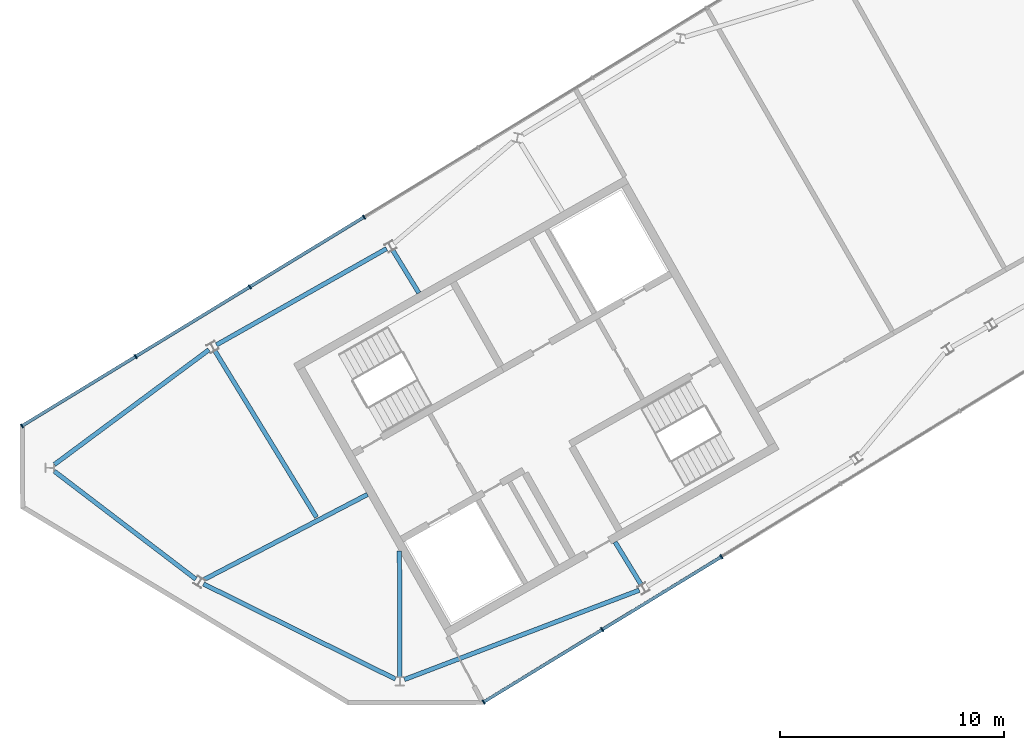
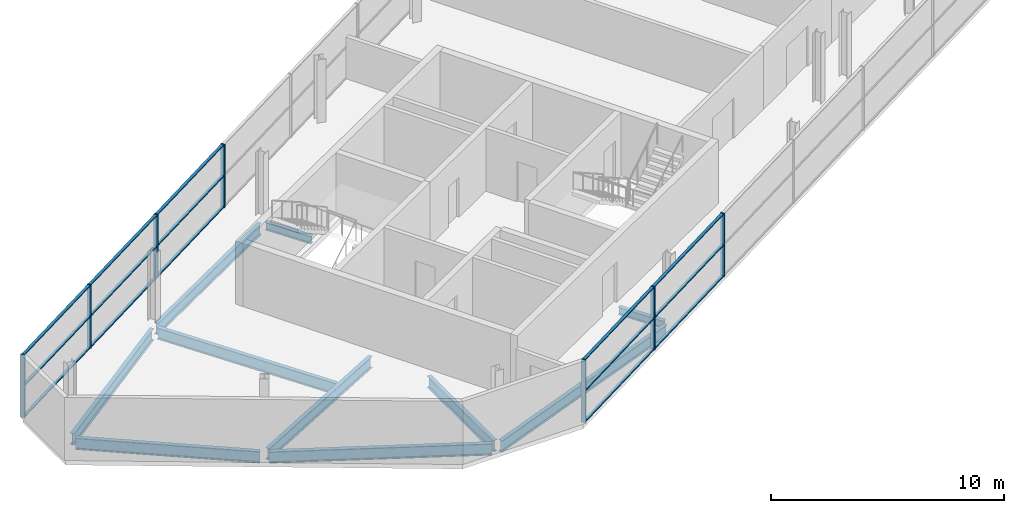
# One storey, part 3 of 8: 22 members, 10 beams, 2 elements without a shape of their own.
"""IFC4 building model written with IfcOpenShell, lengths in metres."""

import ifcopenshell
import ifcopenshell.guid

model = None  # the IFC model being written
_history = None  # IfcOwnerHistory: only IFC2X3 demands one
_inside = {}  # id of a spatial element -> (the spatial element, [elements in it])
_under = {}  # id of a project, library or spatial element -> (it, [spatial elements below it])
_declared = {}  # id of a project -> (the project, [libraries it declares])
_typed = {}  # id of a type object -> (the type object, [elements of that type])
_made_of = {}  # id of a material, layer set ... -> (it, [elements and type objects made of it])


def new_model(schema):
    """Start an empty IFC model of exactly this schema.

    Asked for "IFC4X3", IfcOpenShell would pick the latest addendum, in which some entities
    have other attributes; the version numbers below select the first issue.
    IFC2X3 requires an IfcOwnerHistory on every rooted entity: one is made here for all.
    """
    global model, _history
    if schema == "IFC4X3":
        model = ifcopenshell.file(schema_version=(4, 3, 0, 0))
    else:
        model = ifcopenshell.file(schema=schema)
    _inside.clear()
    _under.clear()
    _declared.clear()
    _typed.clear()
    _made_of.clear()
    _history = None
    if model.schema == "IFC2X3":
        org = make("IfcOrganization", Name="unknown")
        user = make(
            "IfcPersonAndOrganization",
            ThePerson=make("IfcPerson", FamilyName="unknown"),
            TheOrganization=org,
        )
        app = make(
            "IfcApplication",
            ApplicationDeveloper=org,
            Version="unknown",
            ApplicationFullName="unknown",
            ApplicationIdentifier="unknown",
        )
        _history = make(
            "IfcOwnerHistory",
            OwningUser=user,
            OwningApplication=app,
            ChangeAction="ADDED",
            CreationDate=0,
        )
    return model


def make(cls, **values):
    """One entity of the class cls with the attributes given. An attribute that is None is left unset."""
    return model.create_entity(
        cls, **{name: value for name, value in values.items() if value is not None}
    )


def rooted(cls, **values):
    """An entity with a GlobalId (a new one), such as an element, a storey or a relation."""
    return make(cls, GlobalId=ifcopenshell.guid.new(), OwnerHistory=_history, **values)


def si_unit(unit_type, name, prefix=None):
    """IfcSIUnit, for example si_unit("LENGTHUNIT", "METRE", prefix="MILLI")."""
    return make("IfcSIUnit", UnitType=unit_type, Prefix=prefix, Name=name)


def assignment(units):
    """IfcUnitAssignment: the units of a project."""
    return None if units is None else make("IfcUnitAssignment", Units=units)


def point(xyz):
    """IfcCartesianPoint."""
    return None if xyz is None else make("IfcCartesianPoint", Coordinates=xyz)


def direction(xyz):
    """IfcDirection."""
    return None if xyz is None else make("IfcDirection", DirectionRatios=xyz)


def frame(location, z_axis=None, x_axis=None):
    """IfcAxis2Placement3D, a coordinate frame: its origin and axes. An axis left out is left unset."""
    return make(
        "IfcAxis2Placement3D",
        Location=point(location),
        Axis=direction(z_axis),
        RefDirection=direction(x_axis),
    )


def frame_2d(location, x_axis=None):
    """IfcAxis2Placement2D, a coordinate frame in the plane: its origin and x axis."""
    return make(
        "IfcAxis2Placement2D", Location=point(location), RefDirection=direction(x_axis)
    )


def origin():
    """The frame at (0, 0, 0) with its axes left unset."""
    return frame((0.0, 0.0, 0.0))


def origin_2d():
    """The frame at (0, 0) in the plane with its x axis left unset."""
    return frame_2d((0.0, 0.0))


def place(relative_to, where):
    """IfcLocalPlacement: puts the frame where relative to a parent placement (None: the world)."""
    return make(
        "IfcLocalPlacement", PlacementRelTo=relative_to, RelativePlacement=where
    )


def context(
    kind, dimensions, precision=None, world=None, true_north=None, identifier=None
):
    """IfcGeometricRepresentationContext, for example the 3D "Model" context."""
    return make(
        "IfcGeometricRepresentationContext",
        ContextIdentifier=identifier,
        ContextType=kind,
        CoordinateSpaceDimension=dimensions,
        Precision=precision,
        WorldCoordinateSystem=world,
        TrueNorth=true_north,
    )


def subcontext(parent, identifier, kind, view, scale=None):
    """IfcGeometricRepresentationSubContext, for example "Body" below "Model"."""
    return make(
        "IfcGeometricRepresentationSubContext",
        ContextIdentifier=identifier,
        ContextType=kind,
        ParentContext=parent,
        TargetScale=scale,
        TargetView=view,
    )


def project(units=None, contexts=None):
    """IfcProject with its units and contexts."""
    return rooted(
        "IfcProject",
        Name="project",
        RepresentationContexts=contexts,
        UnitsInContext=assignment(units),
    )


def spatial(cls, under=None, at=None, **own):
    """A site, building, storey or space (cls), placed at a placement, below another one or the project."""
    s = rooted(cls, ObjectPlacement=at, **own)
    if under is not None:
        _under.setdefault(under.id(), (under, []))[1].append(s)
    return s


def profile(cls, at=None, kind="AREA", **sizes):
    """A parametric profile (cls). Its sizes go by their IFC names, for example OverallWidth=200.0."""
    return make(cls, ProfileType=kind, Position=at, **sizes)


def rectangle(**sizes):
    """IfcRectangleProfileDef."""
    return profile("IfcRectangleProfileDef", **sizes)


def i_section(**sizes):
    """IfcIShapeProfileDef."""
    return profile("IfcIShapeProfileDef", **sizes)


def extrude(swept, where, along, depth):
    """IfcExtrudedAreaSolid: the profile swept, set in the frame where, extruded along a direction by depth."""
    return make(
        "IfcExtrudedAreaSolid",
        SweptArea=swept,
        Position=where,
        ExtrudedDirection=direction(along),
        Depth=depth,
    )


def shape(context_of_items, identifier, shape_type, items):
    """IfcShapeRepresentation: the items that make up one representation, for example the "Body"."""
    return make(
        "IfcShapeRepresentation",
        ContextOfItems=context_of_items,
        RepresentationIdentifier=identifier,
        RepresentationType=shape_type,
        Items=items,
    )


def material(Name=None, Category=None):
    """IfcMaterial."""
    return make("IfcMaterial", Name=Name, Category=Category)


def material_profile(
    of_material, cross_section, Name=None, Category=None, Priority=None
):
    """IfcMaterialProfile: a cross section and its material."""
    return make(
        "IfcMaterialProfile",
        Name=Name,
        Material=of_material,
        Profile=cross_section,
        Priority=Priority,
        Category=Category,
    )


def profile_set(profiles, Name=None, composite=None):
    """IfcMaterialProfileSet."""
    return make(
        "IfcMaterialProfileSet",
        Name=Name,
        MaterialProfiles=profiles,
        CompositeProfile=composite,
    )


def made_of(thing, what):
    """Note that an element or type object is made of a material, layer set ...; save() writes the relation."""
    if what is not None:
        _made_of.setdefault(what.id(), (what, []))[1].append(thing)
    return thing


def type_object(cls, material=None, **own):
    """A type object (cls), such as IfcWallType, which elements share."""
    return made_of(rooted(cls, **own), material)


def element(
    cls,
    number,
    at=None,
    inside=None,
    cuts=None,
    type_object=None,
    material=None,
    context=None,
    identifier="Body",
    shape_type=None,
    held_by="IfcProductDefinitionShape",
    body=None,
    shapes=None,
    **own,
):
    """One element of the class cls, such as IfcWall. Its Tag is "e" and its number.

    at: its placement. inside: the storey or other place that contains it. cuts: it is an
    opening in that element (IfcRelVoidsElement). A single representation is given by context,
    identifier, shape_type and body (its items); several are given by shapes. held_by: the class
    of the entity that holds the representations. save() writes the other relations.
    """
    e = rooted(cls, Tag="e%d" % number, ObjectPlacement=at, **own)
    if body is not None:
        shapes = [shape(context, identifier, shape_type, body)]
    if shapes is not None:
        e.Representation = make(held_by, Representations=shapes)
    if inside is not None:
        _inside.setdefault(inside.id(), (inside, []))[1].append(e)
    if cuts is not None:
        rooted(
            "IfcRelVoidsElement", RelatingBuildingElement=cuts, RelatedOpeningElement=e
        )
    if type_object is not None:
        _typed.setdefault(type_object.id(), (type_object, []))[1].append(e)
    return made_of(e, material)


def aggregate(whole, parts):
    """IfcRelAggregates: a whole, such as a stair, and the parts it consists of."""
    return rooted("IfcRelAggregates", RelatingObject=whole, RelatedObjects=parts)


def save(model, path):
    """Write the relations noted so far, then the file.

    IfcRelAggregates (storeys below a building ...), IfcRelContainedInSpatialStructure (elements
    in a storey), IfcRelDefinesByType, IfcRelAssociatesMaterial and IfcRelDeclares: one each for
    every whole, place, type object, material and project.
    """
    for whole, parts in _under.values():
        aggregate(whole, parts)
    for where, things in _inside.values():
        rooted(
            "IfcRelContainedInSpatialStructure",
            RelatedElements=things,
            RelatingStructure=where,
        )
    for kind, things in _typed.values():
        rooted("IfcRelDefinesByType", RelatedObjects=things, RelatingType=kind)
    for what, things in _made_of.values():
        rooted("IfcRelAssociatesMaterial", RelatedObjects=things, RelatingMaterial=what)
    for by, libraries in _declared.values():
        rooted("IfcRelDeclares", RelatingContext=by, RelatedDefinitions=libraries)
    model.write(path)


model = new_model("IFC4")

# Units and contexts
model_context = context("Model", 3, precision=1e-05, world=origin(), true_north=direction((0.0, 1.0)))
body_context = subcontext(model_context, "Body", "Model", "MODEL_VIEW")
ifc_project = project(units=[si_unit("LENGTHUNIT", "METRE"), si_unit("AREAUNIT", "SQUARE_METRE"), si_unit("VOLUMEUNIT", "CUBIC_METRE"), si_unit("PLANEANGLEUNIT", "RADIAN"), si_unit("MASSUNIT", "GRAM", prefix="KILO")], contexts=[model_context])

# Site, building, storey
site_placement = place(None, origin())
site = spatial("IfcSite", under=ifc_project, at=site_placement, CompositionType="ELEMENT")
building_placement = place(site_placement, origin())
building = spatial("IfcBuilding", under=site, at=building_placement, Name="Binnacle Exchange Tower", CompositionType="ELEMENT")
storey_placement = place(building_placement, frame((0.0, 0.0, 350.5)))
storey = spatial("IfcBuildingStorey", under=building, at=storey_placement, Name="L80", CompositionType="ELEMENT", Elevation=350.5)

# Curtain wall, members
ifc_material_1 = material(Name="Bronze anodised aluminium frame", Category="aluminium")
curtain_wall_type = type_object("IfcCurtainWallType", Name="External wall - curtain wall crown tiers", PredefinedType="NOTDEFINED", material=ifc_material_1)
curtain_wall_1_placement = place(storey_placement, origin())
curtain_wall_1 = element("IfcCurtainWall", 1, at=curtain_wall_1_placement, inside=storey, type_object=curtain_wall_type, Name="External wall curtain wall CW5-C103 L80", PredefinedType="NOTDEFINED")
ifc_material_profile_1 = material_profile(ifc_material_1, rectangle(XDim=0.199951171875, YDim=0.06005859375, at=origin_2d()), Name="AL 60x200")
ifc_profile_set_1 = profile_set([ifc_material_profile_1], Name="Bronze anodised aluminium frame")
member_type_1 = type_object("IfcMemberType", Name="CW5 MULLION 60x200", PredefinedType="MULLION", material=ifc_profile_set_1)
member_1_placement = place(storey_placement, frame((-43.45947265625, 48.23095703125, 0.0), z_axis=(0.0, 0.0, 1.0), x_axis=(0.521156922554, -0.853460873194, 0.0)))
member_1 = element("IfcMember", 2, at=member_1_placement, type_object=member_type_1, Name="CW5-C103 mullion 8", PredefinedType="MULLION", context=body_context, shape_type="SweptSolid", body=[
    extrude(rectangle(XDim=0.199951171875, YDim=0.06005859375, at=origin_2d()), origin(), (0.0, 0.0, 1.0), 3.300048828125),
])
member_2_placement = place(storey_placement, frame((-48.56103515625, 45.11572265625, 0.0), z_axis=(0.0, 0.0, 1.0), x_axis=(0.521156922554, -0.853460873194, 0.0)))
member_2 = element("IfcMember", 3, at=member_2_placement, type_object=member_type_1, Name="CW5-C103 mullion 9", PredefinedType="MULLION", context=body_context, shape_type="SweptSolid", body=[
    extrude(rectangle(XDim=0.199951171875, YDim=0.06005859375, at=origin_2d()), origin(), (0.0, 0.0, 1.0), 3.300048828125),
])
member_3_placement = place(storey_placement, frame((-53.66259765625, 42.00048828125, 0.0), z_axis=(0.0, 0.0, 1.0), x_axis=(0.521156922554, -0.853460873194, 0.0)))
member_3 = element("IfcMember", 4, at=member_3_placement, type_object=member_type_1, Name="CW5-C103 mullion 10", PredefinedType="MULLION", context=body_context, shape_type="SweptSolid", body=[
    extrude(rectangle(XDim=0.199951171875, YDim=0.06005859375, at=origin_2d()), origin(), (0.0, 0.0, 1.0), 3.300048828125),
])
member_4_placement = place(storey_placement, frame((-58.738525390625, 38.90087890625, 0.0), z_axis=(0.0, 0.0, 1.0), x_axis=(0.521156922554, -0.853460873194, 0.0)))
member_4 = element("IfcMember", 5, at=member_4_placement, type_object=member_type_1, Name="CW5-C103 mullion 11", PredefinedType="MULLION", context=body_context, shape_type="SweptSolid", body=[
    extrude(rectangle(XDim=0.199951171875, YDim=0.06005859375, at=origin_2d()), origin(), (0.0, 0.0, 1.0), 3.300048828125),
])

curtain_wall_2_placement = place(storey_placement, origin())
curtain_wall_2 = element("IfcCurtainWall", 6, at=curtain_wall_2_placement, inside=storey, type_object=curtain_wall_type, Name="External wall curtain wall CW5-C107 L80", PredefinedType="NOTDEFINED")
member_5_placement = place(storey_placement, frame((-38.119873046875, 26.568603515625, 0.0), z_axis=(0.0, 0.0, 1.0), x_axis=(-0.521156922554, 0.853460873194, 0.0)))
member_5 = element("IfcMember", 7, at=member_5_placement, type_object=member_type_1, Name="CW5-C107 mullion 1", PredefinedType="MULLION", context=body_context, shape_type="SweptSolid", body=[
    extrude(rectangle(XDim=0.199951171875, YDim=0.06005859375, at=origin_2d()), origin(), (0.0, 0.0, 1.0), 3.300048828125),
])
member_6_placement = place(storey_placement, frame((-32.820556640625, 29.804443359375, 0.0), z_axis=(0.0, 0.0, 1.0), x_axis=(-0.521156922554, 0.853460873194, 0.0)))
member_6 = element("IfcMember", 8, at=member_6_placement, type_object=member_type_1, Name="CW5-C107 mullion 2", PredefinedType="MULLION", context=body_context, shape_type="SweptSolid", body=[
    extrude(rectangle(XDim=0.199951171875, YDim=0.06005859375, at=origin_2d()), origin(), (0.0, 0.0, 1.0), 3.300048828125),
])
member_7_placement = place(storey_placement, frame((-27.49560546875, 33.05615234375, 0.0), z_axis=(0.0, 0.0, 1.0), x_axis=(-0.521156922554, 0.853460873194, 0.0)))
member_7 = element("IfcMember", 9, at=member_7_placement, type_object=member_type_1, Name="CW5-C107 mullion 3", PredefinedType="MULLION", context=body_context, shape_type="SweptSolid", body=[
    extrude(rectangle(XDim=0.199951171875, YDim=0.06005859375, at=origin_2d()), origin(), (0.0, 0.0, 1.0), 3.300048828125),
])

# Member
ifc_material_profile_2 = material_profile(ifc_material_1, rectangle(XDim=0.139892578125, YDim=0.050048828125, at=origin_2d()), Name="AL 140x50")
ifc_profile_set_2 = profile_set([ifc_material_profile_2], Name="Bronze anodised aluminium frame")
member_type_2 = type_object("IfcMemberType", Name="CW5 TRANSOM 50x140", PredefinedType="USERDEFINED", material=ifc_profile_set_2)
member_8_placement = place(storey_placement, frame((-43.485107421875, 48.21533203125, 0.02490234375), z_axis=(-0.853455161213, -0.521166276537, 0.0), x_axis=(0.521166276537, -0.853455161213, 0.0)))
member_8 = element("IfcMember", 10, at=member_8_placement, type_object=member_type_2, Name="CW5-C103 transom 8.1", ObjectType="TRANSOM", PredefinedType="USERDEFINED", context=body_context, shape_type="SweptSolid", body=[
    extrude(rectangle(XDim=0.139892578125, YDim=0.050048828125, at=origin_2d()), origin(), (0.0, 0.0, 1.0), 5.91748046875),
])

member_9_placement = place(storey_placement, frame((-43.485107421875, 48.21533203125, 1.64990234375), z_axis=(-0.853455161213, -0.521166276537, 0.0), x_axis=(0.521166276537, -0.853455161213, 0.0)))
member_9 = element("IfcMember", 11, at=member_9_placement, type_object=member_type_2, Name="CW5-C103 transom 8.2", ObjectType="TRANSOM", PredefinedType="USERDEFINED", context=body_context, shape_type="SweptSolid", body=[
    extrude(rectangle(XDim=0.139892578125, YDim=0.050048828125, at=origin_2d()), origin(), (0.0, 0.0, 1.0), 5.91748046875),
])

member_10_placement = place(storey_placement, frame((-43.485107421875, 48.21533203125, 3.27490234375), z_axis=(-0.853455161213, -0.521166276537, 0.0), x_axis=(0.521166276537, -0.853455161213, 0.0)))
member_10 = element("IfcMember", 12, at=member_10_placement, type_object=member_type_2, Name="CW5-C103 transom 8.3", ObjectType="TRANSOM", PredefinedType="USERDEFINED", context=body_context, shape_type="SweptSolid", body=[
    extrude(rectangle(XDim=0.139892578125, YDim=0.050048828125, at=origin_2d()), origin(), (0.0, 0.0, 1.0), 5.91748046875),
])

member_11_placement = place(storey_placement, frame((-48.586669921875, 45.10009765625, 0.02490234375), z_axis=(-0.853455161213, -0.521166276537, 0.0), x_axis=(0.521166276537, -0.853455161213, 0.0)))
member_11 = element("IfcMember", 13, at=member_11_placement, type_object=member_type_2, Name="CW5-C103 transom 9.1", ObjectType="TRANSOM", PredefinedType="USERDEFINED", context=body_context, shape_type="SweptSolid", body=[
    extrude(rectangle(XDim=0.139892578125, YDim=0.050048828125, at=origin_2d()), origin(), (0.0, 0.0, 1.0), 5.91748046875),
])

member_12_placement = place(storey_placement, frame((-48.586669921875, 45.10009765625, 1.64990234375), z_axis=(-0.853455161213, -0.521166276537, 0.0), x_axis=(0.521166276537, -0.853455161213, 0.0)))
member_12 = element("IfcMember", 14, at=member_12_placement, type_object=member_type_2, Name="CW5-C103 transom 9.2", ObjectType="TRANSOM", PredefinedType="USERDEFINED", context=body_context, shape_type="SweptSolid", body=[
    extrude(rectangle(XDim=0.139892578125, YDim=0.050048828125, at=origin_2d()), origin(), (0.0, 0.0, 1.0), 5.91748046875),
])

member_13_placement = place(storey_placement, frame((-48.586669921875, 45.10009765625, 3.27490234375), z_axis=(-0.853455161213, -0.521166276537, 0.0), x_axis=(0.521166276537, -0.853455161213, 0.0)))
member_13 = element("IfcMember", 15, at=member_13_placement, type_object=member_type_2, Name="CW5-C103 transom 9.3", ObjectType="TRANSOM", PredefinedType="USERDEFINED", context=body_context, shape_type="SweptSolid", body=[
    extrude(rectangle(XDim=0.139892578125, YDim=0.050048828125, at=origin_2d()), origin(), (0.0, 0.0, 1.0), 5.91748046875),
])

member_14_placement = place(storey_placement, frame((-53.688232421875, 41.98486328125, 0.02490234375), z_axis=(-0.853452971317, -0.521169862665, 0.0), x_axis=(0.521169862665, -0.853452971317, 0.0)))
member_14 = element("IfcMember", 16, at=member_14_placement, type_object=member_type_2, Name="CW5-C103 transom 10.1", ObjectType="TRANSOM", PredefinedType="USERDEFINED", context=body_context, shape_type="SweptSolid", body=[
    extrude(rectangle(XDim=0.139892578125, YDim=0.050048828125, at=origin_2d()), origin(), (0.0, 0.0, 1.0), 5.887451171875),
])

member_15_placement = place(storey_placement, frame((-53.688232421875, 41.98486328125, 1.64990234375), z_axis=(-0.853452971317, -0.521169862665, 0.0), x_axis=(0.521169862665, -0.853452971317, 0.0)))
member_15 = element("IfcMember", 17, at=member_15_placement, type_object=member_type_2, Name="CW5-C103 transom 10.2", ObjectType="TRANSOM", PredefinedType="USERDEFINED", context=body_context, shape_type="SweptSolid", body=[
    extrude(rectangle(XDim=0.139892578125, YDim=0.050048828125, at=origin_2d()), origin(), (0.0, 0.0, 1.0), 5.887451171875),
])

member_16_placement = place(storey_placement, frame((-53.688232421875, 41.98486328125, 3.27490234375), z_axis=(-0.853452971317, -0.521169862665, 0.0), x_axis=(0.521169862665, -0.853452971317, 0.0)))
member_16 = element("IfcMember", 18, at=member_16_placement, type_object=member_type_2, Name="CW5-C103 transom 10.3", ObjectType="TRANSOM", PredefinedType="USERDEFINED", context=body_context, shape_type="SweptSolid", body=[
    extrude(rectangle(XDim=0.139892578125, YDim=0.050048828125, at=origin_2d()), origin(), (0.0, 0.0, 1.0), 5.887451171875),
])

aggregate(curtain_wall_1, [member_1, member_2, member_3, member_4, member_8, member_9, member_10, member_11, member_12, member_13, member_14, member_15, member_16])

member_17_placement = place(storey_placement, frame((-38.09423828125, 26.584228515625, 0.02490234375), z_axis=(0.853466289952, 0.52114805182, 0.0), x_axis=(-0.52114805182, 0.853466289952, 0.0)))
member_17 = element("IfcMember", 19, at=member_17_placement, type_object=member_type_2, Name="CW5-C107 transom 1.1", ObjectType="TRANSOM", PredefinedType="USERDEFINED", context=body_context, shape_type="SweptSolid", body=[
    extrude(rectangle(XDim=0.139892578125, YDim=0.050048828125, at=origin_2d()), origin(), (0.0, 0.0, 1.0), 6.149169921875),
])

member_18_placement = place(storey_placement, frame((-38.09423828125, 26.584228515625, 1.64990234375), z_axis=(0.853466289952, 0.52114805182, 0.0), x_axis=(-0.52114805182, 0.853466289952, 0.0)))
member_18 = element("IfcMember", 20, at=member_18_placement, type_object=member_type_2, Name="CW5-C107 transom 1.2", ObjectType="TRANSOM", PredefinedType="USERDEFINED", context=body_context, shape_type="SweptSolid", body=[
    extrude(rectangle(XDim=0.139892578125, YDim=0.050048828125, at=origin_2d()), origin(), (0.0, 0.0, 1.0), 6.149169921875),
])

member_19_placement = place(storey_placement, frame((-38.09423828125, 26.584228515625, 3.27490234375), z_axis=(0.853466289952, 0.52114805182, 0.0), x_axis=(-0.52114805182, 0.853466289952, 0.0)))
member_19 = element("IfcMember", 21, at=member_19_placement, type_object=member_type_2, Name="CW5-C107 transom 1.3", ObjectType="TRANSOM", PredefinedType="USERDEFINED", context=body_context, shape_type="SweptSolid", body=[
    extrude(rectangle(XDim=0.139892578125, YDim=0.050048828125, at=origin_2d()), origin(), (0.0, 0.0, 1.0), 6.149169921875),
])

member_20_placement = place(storey_placement, frame((-32.794921875, 29.820068359375, 0.02490234375), z_axis=(0.853450748659, 0.52117350241, 0.0), x_axis=(-0.52117350241, 0.853450748659, 0.0)))
member_20 = element("IfcMember", 22, at=member_20_placement, type_object=member_type_2, Name="CW5-C107 transom 2.1", ObjectType="TRANSOM", PredefinedType="USERDEFINED", context=body_context, shape_type="SweptSolid", body=[
    extrude(rectangle(XDim=0.139892578125, YDim=0.050048828125, at=origin_2d()), origin(), (0.0, 0.0, 1.0), 6.17919921875),
])

member_21_placement = place(storey_placement, frame((-32.794921875, 29.820068359375, 1.64990234375), z_axis=(0.853450748659, 0.52117350241, 0.0), x_axis=(-0.52117350241, 0.853450748659, 0.0)))
member_21 = element("IfcMember", 23, at=member_21_placement, type_object=member_type_2, Name="CW5-C107 transom 2.2", ObjectType="TRANSOM", PredefinedType="USERDEFINED", context=body_context, shape_type="SweptSolid", body=[
    extrude(rectangle(XDim=0.139892578125, YDim=0.050048828125, at=origin_2d()), origin(), (0.0, 0.0, 1.0), 6.17919921875),
])

member_22_placement = place(storey_placement, frame((-32.794921875, 29.820068359375, 3.27490234375), z_axis=(0.853450748659, 0.52117350241, 0.0), x_axis=(-0.52117350241, 0.853450748659, 0.0)))
member_22 = element("IfcMember", 24, at=member_22_placement, type_object=member_type_2, Name="CW5-C107 transom 2.3", ObjectType="TRANSOM", PredefinedType="USERDEFINED", context=body_context, shape_type="SweptSolid", body=[
    extrude(rectangle(XDim=0.139892578125, YDim=0.050048828125, at=origin_2d()), origin(), (0.0, 0.0, 1.0), 6.17919921875),
])

aggregate(curtain_wall_2, [member_5, member_6, member_7, member_17, member_18, member_19, member_20, member_21, member_22])

# Beams
ifc_material_2 = material(Name="Steel S355 (SHN355)", Category="steel")
ifc_material_profile_3 = material_profile(ifc_material_2, i_section(OverallWidth=0.199951171875, OverallDepth=0.60009765625, WebThickness=0.010986328125, FlangeThickness=0.01708984375, FilletRadius=0.02197265625, at=origin_2d()), Name="H 600x200x11x17")
ifc_profile_set_3 = profile_set([ifc_material_profile_3], Name="Steel S355 (SHN355)")
beam_type_1 = type_object("IfcBeamType", Name="Edge girder H 600x200x11x17 Steel S355 (SHN355)", PredefinedType="SPANDREL", material=ifc_profile_set_3)
beam_1_placement = place(storey_placement, frame((-57.294921875, 36.876220703125, -0.60009765625), z_axis=(0.795084866739, -0.606498190173, 0.0), x_axis=(0.606498190173, 0.795084866739, 0.0)))
element("IfcBeam", 25, at=beam_1_placement, inside=storey, type_object=beam_type_1, Name="S:BM:edge:L80:006", PredefinedType="SPANDREL", context=body_context, shape_type="SweptSolid", body=[
    extrude(i_section(OverallWidth=0.199951171875, OverallDepth=0.60009765625, WebThickness=0.010986328125, FlangeThickness=0.01708984375, FilletRadius=0.02197265625, at=origin_2d()), origin(), (0.0, 0.0, 1.0), 7.95263671875),
])
beam_2_placement = place(storey_placement, frame((-50.632080078125, 31.841796875, -0.60009765625), z_axis=(0.8960639995, -0.443924890944, 0.0), x_axis=(0.443924890944, 0.8960639995, 0.0)))
element("IfcBeam", 26, at=beam_2_placement, inside=storey, type_object=beam_type_1, Name="S:BM:edge:L80:007", PredefinedType="SPANDREL", context=body_context, shape_type="SweptSolid", body=[
    extrude(i_section(OverallWidth=0.199951171875, OverallDepth=0.60009765625, WebThickness=0.010986328125, FlangeThickness=0.01708984375, FilletRadius=0.02197265625, at=origin_2d()), origin(), (0.0, 0.0, 1.0), 9.5703125),
])
beam_3_placement = place(storey_placement, frame((-50.387939453125, 42.302734375, -0.60009765625), z_axis=(-0.802897228566, -0.596117471947, 0.0), x_axis=(0.596117471947, -0.802897228566, 0.0)))
element("IfcBeam", 27, at=beam_3_placement, inside=storey, type_object=beam_type_1, Name="S:BM:edge:L80:008", PredefinedType="SPANDREL", context=body_context, shape_type="SweptSolid", body=[
    extrude(i_section(OverallWidth=0.199951171875, OverallDepth=0.60009765625, WebThickness=0.010986328125, FlangeThickness=0.01708984375, FilletRadius=0.02197265625, at=origin_2d()), origin(), (0.0, 0.0, 1.0), 8.59765625),
])
beam_4_placement = place(storey_placement, frame((-42.4541015625, 46.8203125, -0.60009765625), z_axis=(-0.870348679589, -0.492435961255, 0.0), x_axis=(0.492435961255, -0.870348679589, 0.0)))
element("IfcBeam", 28, at=beam_4_placement, inside=storey, type_object=beam_type_1, Name="S:BM:edge:L80:009", PredefinedType="SPANDREL", context=body_context, shape_type="SweptSolid", body=[
    extrude(i_section(OverallWidth=0.199951171875, OverallDepth=0.60009765625, WebThickness=0.010986328125, FlangeThickness=0.01708984375, FilletRadius=0.02197265625, at=origin_2d()), origin(), (0.0, 0.0, 1.0), 8.729736328125),
])
beam_5_placement = place(storey_placement, frame((-41.65673828125, 27.5712890625, -0.60009765625), z_axis=(0.934628228564, 0.355626312821, 0.0), x_axis=(-0.355626312821, 0.934628228564, 0.0)))
element("IfcBeam", 29, at=beam_5_placement, inside=storey, type_object=beam_type_1, Name="S:BM:edge:L80:010", PredefinedType="SPANDREL", context=body_context, shape_type="SweptSolid", body=[
    extrude(i_section(OverallWidth=0.199951171875, OverallDepth=0.60009765625, WebThickness=0.010986328125, FlangeThickness=0.01708984375, FilletRadius=0.02197265625, at=origin_2d()), origin(), (0.0, 0.0, 1.0), 11.225830078125),
])
ifc_material_profile_4 = material_profile(ifc_material_2, i_section(OverallWidth=0.199951171875, OverallDepth=0.39990234375, WebThickness=0.008056640625, FlangeThickness=0.012939453125, FilletRadius=0.01611328125, at=origin_2d()), Name="H 400x200x8x13")
ifc_profile_set_4 = profile_set([ifc_material_profile_4], Name="Steel S355 (SHN355)")
beam_type_2 = type_object("IfcBeamType", Name="Floor beam H 400x200x8x13 Steel S355 (SHN355)", PredefinedType="BEAM", material=ifc_profile_set_4)
beam_6_placement = place(storey_placement, frame((-42.17578125, 46.747802734375, -0.5), z_axis=(0.521273294213, -0.853389801169, 0.0), x_axis=(0.853389801169, 0.521273294213, 0.0)))
element("IfcBeam", 30, at=beam_6_placement, inside=storey, type_object=beam_type_2, Name="S:BM:cross:L80:023", PredefinedType="BEAM", context=body_context, shape_type="SweptSolid", body=[
    extrude(i_section(OverallWidth=0.199951171875, OverallDepth=0.39990234375, WebThickness=0.008056640625, FlangeThickness=0.012939453125, FilletRadius=0.01611328125, at=origin_2d()), origin(), (0.0, 0.0, 1.0), 2.2353515625),
])
beam_7_placement = place(storey_placement, frame((-31.079833984375, 31.80615234375, -0.5), z_axis=(-0.521145172742, 0.853468047983, 0.0), x_axis=(-0.853468047983, -0.521145172742, 0.0)))
element("IfcBeam", 31, at=beam_7_placement, inside=storey, type_object=beam_type_2, Name="S:BM:cross:L80:026", PredefinedType="BEAM", context=body_context, shape_type="SweptSolid", body=[
    extrude(i_section(OverallWidth=0.199951171875, OverallDepth=0.39990234375, WebThickness=0.008056640625, FlangeThickness=0.012939453125, FilletRadius=0.01611328125, at=origin_2d()), origin(), (0.0, 0.0, 1.0), 2.235595703125),
])
ifc_material_profile_5 = material_profile(ifc_material_2, i_section(OverallWidth=0.199951171875, OverallDepth=0.60009765625, WebThickness=0.010986328125, FlangeThickness=0.01708984375, FilletRadius=0.02197265625, at=origin_2d()), Name="H 600x200x11x17")
ifc_profile_set_5 = profile_set([ifc_material_profile_5], Name="Steel S355 (SHN355)")
beam_type_3 = type_object("IfcBeamType", Name="Floor beam H 600x200x11x17 Steel S355 (SHN355)", PredefinedType="BEAM", material=ifc_profile_set_5)
beam_8_placement = place(storey_placement, frame((-50.121826171875, 42.252197265625, -0.60009765625), z_axis=(0.521135792613, -0.853473775612, 0.0), x_axis=(0.853473775612, 0.521135792613, 0.0)))
element("IfcBeam", 32, at=beam_8_placement, inside=storey, type_object=beam_type_3, Name="S:BM:cross:L80:022", PredefinedType="BEAM", context=body_context, shape_type="SweptSolid", body=[
    extrude(i_section(OverallWidth=0.199951171875, OverallDepth=0.60009765625, WebThickness=0.010986328125, FlangeThickness=0.01708984375, FilletRadius=0.02197265625, at=origin_2d()), origin(), (0.0, 0.0, 1.0), 8.70654296875),
])
beam_9_placement = place(storey_placement, frame((-41.8583984375, 27.69482421875, -0.60009765625), z_axis=(-0.003563645342, 0.999993650196, 0.0), x_axis=(-0.999993650196, -0.003563645342, 0.0)))
element("IfcBeam", 33, at=beam_9_placement, inside=storey, type_object=beam_type_3, Name="S:BM:cross:L80:024", PredefinedType="BEAM", context=body_context, shape_type="SweptSolid", body=[
    extrude(i_section(OverallWidth=0.199951171875, OverallDepth=0.60009765625, WebThickness=0.010986328125, FlangeThickness=0.01708984375, FilletRadius=0.02197265625, at=origin_2d()), origin(), (0.0, 0.0, 1.0), 5.61767578125),
])
ifc_material_profile_6 = material_profile(ifc_material_2, i_section(OverallWidth=0.199951171875, OverallDepth=0.60009765625, WebThickness=0.010986328125, FlangeThickness=0.01708984375, FilletRadius=0.02197265625, at=origin_2d()), Name="H 600x200x11x17")
ifc_profile_set_6 = profile_set([ifc_material_profile_6], Name="Steel S355 (SHN355)")
beam_type_4 = type_object("IfcBeamType", Name="Spine girder H 600x200x11x17 Steel S355 (SHN355)", PredefinedType="BEAM", material=ifc_profile_set_6)
beam_10_placement = place(storey_placement, frame((-50.60400390625, 32.039306640625, -0.60009765625), z_axis=(0.886982470593, 0.461803093168, 0.0), x_axis=(-0.461803093168, 0.886982470593, 0.0)))
element("IfcBeam", 34, at=beam_10_placement, inside=storey, type_object=beam_type_4, Name="S:BM:spine:L80:001", PredefinedType="BEAM", context=body_context, shape_type="SweptSolid", body=[
    extrude(i_section(OverallWidth=0.199951171875, OverallDepth=0.60009765625, WebThickness=0.010986328125, FlangeThickness=0.01708984375, FilletRadius=0.02197265625, at=origin_2d()), origin(), (0.0, 0.0, 1.0), 8.22607421875),
])

save(model, "model.ifc")
